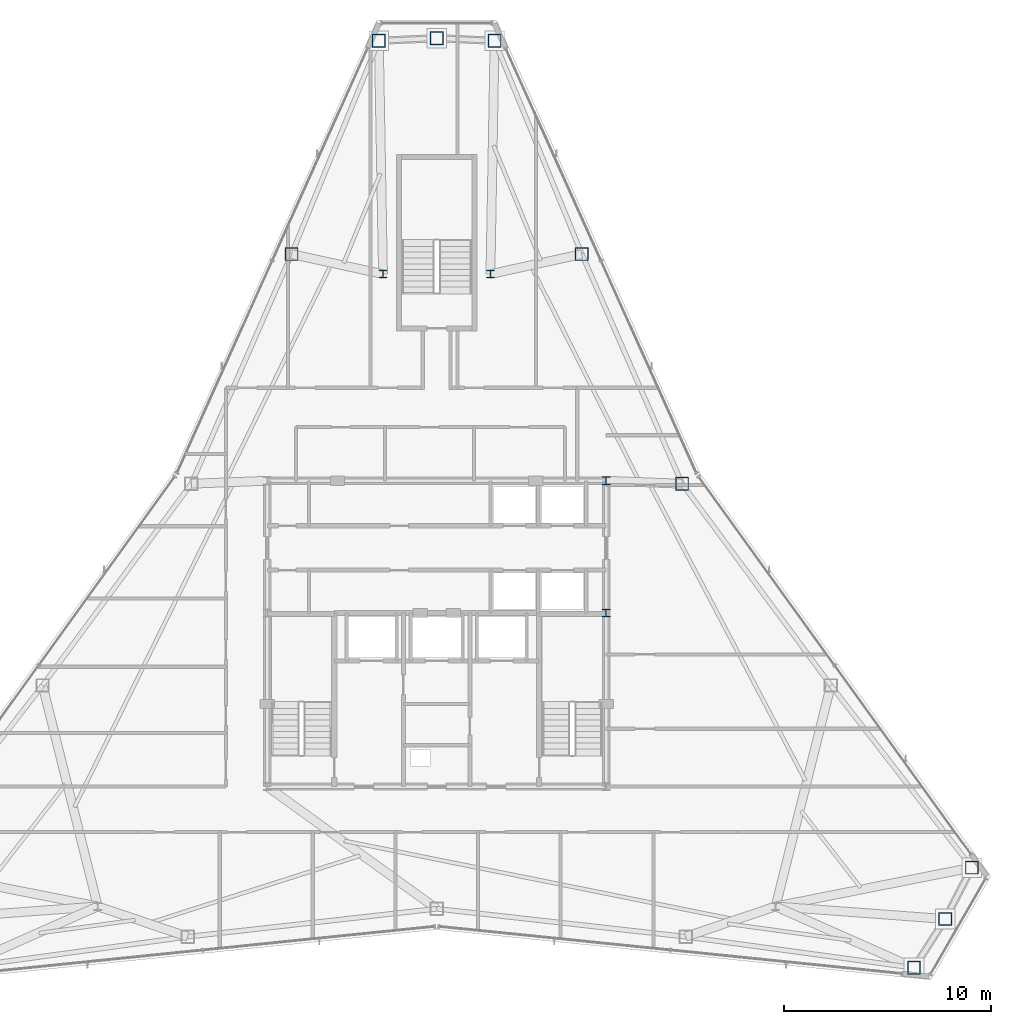
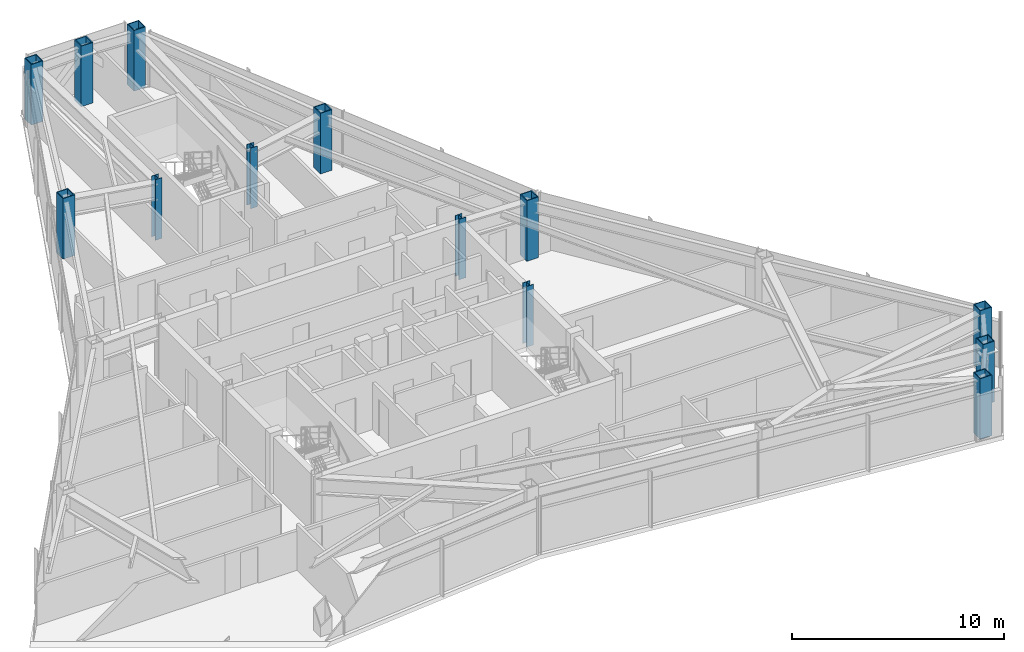
# One storey, part 2 of 12: 13 columns.
"""IFC4 building model written with IfcOpenShell, lengths in metres."""

from ifc_helpers import new_model, si_unit, direction, frame, origin, origin_2d, place, context, subcontext, project, spatial, hollow_rectangle, i_section, extrude, material, material_profile, profile_set, type_object, element, save


model = new_model("IFC4")

# Units and contexts
model_context = context("Model", 3, precision=1e-05, world=origin(), true_north=direction((0.0, 1.0)))
body_context = subcontext(model_context, "Body", "Model", "MODEL_VIEW")
ifc_project = project(units=[si_unit("LENGTHUNIT", "METRE"), si_unit("AREAUNIT", "SQUARE_METRE"), si_unit("VOLUMEUNIT", "CUBIC_METRE"), si_unit("PLANEANGLEUNIT", "RADIAN"), si_unit("MASSUNIT", "GRAM", prefix="KILO")], contexts=[model_context])

# Site, building, storey
site_placement = place(None, origin())
site = spatial("IfcSite", under=ifc_project, at=site_placement, CompositionType="ELEMENT")
building_placement = place(site_placement, origin())
building = spatial("IfcBuilding", under=site, at=building_placement, Name="Varakhsha Concourse Tower", CompositionType="ELEMENT")
storey_placement = place(building_placement, frame((0.0, 0.0, 262.0)))
storey = spatial("IfcBuildingStorey", under=building, at=storey_placement, Name="L74", CompositionType="ELEMENT", Elevation=262.0)

# Columns
ifc_material_1 = material(Name="Structural Steel ASTM A992 Grade 50", Category="steel")
ifc_material_profile_1 = material_profile(ifc_material_1, i_section(OverallWidth=0.3740234375, OverallDepth=0.3720703125, WebThickness=0.01611328125, FlangeThickness=0.02587890625, at=origin_2d()), Name="W14X132")
ifc_profile_set_1 = profile_set([ifc_material_profile_1], Name="Structural Steel ASTM A992 Grade 50")
column_type_1 = type_object("IfcColumnType", Name="CL-CORE-W14X132", PredefinedType="COLUMN", material=ifc_profile_set_1)
for number, where, z_axis, x_axis, name in (
    (1, (48.199951171875, 24.800048828125, 0.0), (0.0, 0.0, 1.0), (1.0, 0.0, 0.0), "L74 Core Column CC-ME"),
    (2, (48.199951171875, 31.199951171875, 0.0), (0.0, 0.0, 1.0), (1.0, 0.0, 0.0), "L74 Core Column CC-NE"),
    (3, (37.39990234375, 41.199951171875, 0.0), (0.0, 0.0, 1.0), (1.0, 0.0, 0.0), "L74 Core Column NS-W"),
    (4, (42.60009765625, 41.199951171875, 0.0), (0.0, 0.0, 1.0), (1.0, 0.0, 0.0), "L74 Core Column NS-E"),
):
    element("IfcColumn", number, at=place(storey_placement, frame(where, z_axis=z_axis, x_axis=x_axis)), inside=storey, type_object=column_type_1, Name=name, PredefinedType="COLUMN", context=body_context, shape_type="SweptSolid", body=[
        extrude(i_section(OverallWidth=0.3740234375, OverallDepth=0.3720703125, WebThickness=0.01611328125, FlangeThickness=0.02587890625, at=origin_2d()), origin(), (0.0, 0.0, 1.0), 3.5),
    ])
ifc_material_2 = material(Name="Structural Steel ASTM A572 Grade 50", Category="steel")
ifc_material_profile_2 = material_profile(ifc_material_2, hollow_rectangle(XDim=0.639892578125, YDim=0.639892578125, WallThickness=0.044921875, at=origin_2d()), Name="BOX 640x640x45")
ifc_profile_set_2 = profile_set([ifc_material_profile_2], Name="Structural Steel ASTM A572 Grade 50")
column_type_2 = type_object("IfcColumnType", Name="CL-TUBE-640", PredefinedType="COLUMN", material=ifc_profile_set_2)
for number, where, z_axis, x_axis, name in (
    (5, (42.80029296875, 52.489990234375, 0.0), (0.0, 0.0, 1.0), (1.0, 0.0, 0.0), "L74 Framed-Tube Column TC01"),
    (6, (40.0, 52.6171875, 0.0), (0.0, 0.0, 1.0), (1.0, 0.0, 0.0), "L74 Framed-Tube Column TC02"),
    (7, (37.19970703125, 52.489990234375, 0.0), (0.0, 0.0, 1.0), (1.0, 0.0, 0.0), "L74 Framed-Tube Column TC03"),
    (8, (32.977294921875, 42.168701171875, 0.0), (0.0, 0.0, 1.0), (1.0, 0.0, 0.0), "L74 Framed-Tube Column TC04"),
    (9, (63.099609375, 7.6298828125, 0.0), (0.0, 0.0, 1.0), (1.0, 0.0, 0.0), "L74 Framed-Tube Column TC13"),
    (10, (64.60986328125, 9.991455078125, 0.0), (0.0, 0.0, 1.0), (1.0, 0.0, 0.0), "L74 Framed-Tube Column TC14"),
    (11, (65.89990234375, 12.47998046875, 0.0), (0.0, 0.0, 1.0), (1.0, 0.0, 0.0), "L74 Framed-Tube Column TC15"),
    (12, (51.874267578125, 31.0556640625, 0.0), (0.0, 0.0, 1.0), (1.0, 0.0, 0.0), "L74 Framed-Tube Column TC17"),
    (13, (47.022705078125, 42.168701171875, 0.0), (0.0, 0.0, 1.0), (1.0, 0.0, 0.0), "L74 Framed-Tube Column TC18"),
):
    element("IfcColumn", number, at=place(storey_placement, frame(where, z_axis=z_axis, x_axis=x_axis)), inside=storey, type_object=column_type_2, Name=name, PredefinedType="COLUMN", context=body_context, shape_type="SweptSolid", body=[
        extrude(hollow_rectangle(XDim=0.639892578125, YDim=0.639892578125, WallThickness=0.044921875, at=origin_2d()), origin(), (0.0, 0.0, 1.0), 3.5),
    ])

save(model, "model.ifc")
